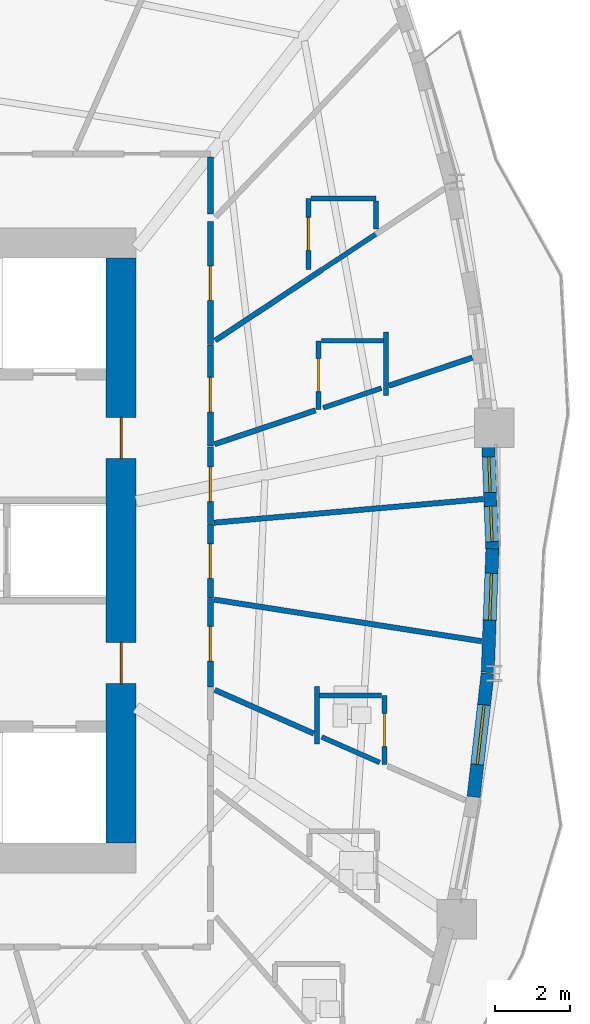
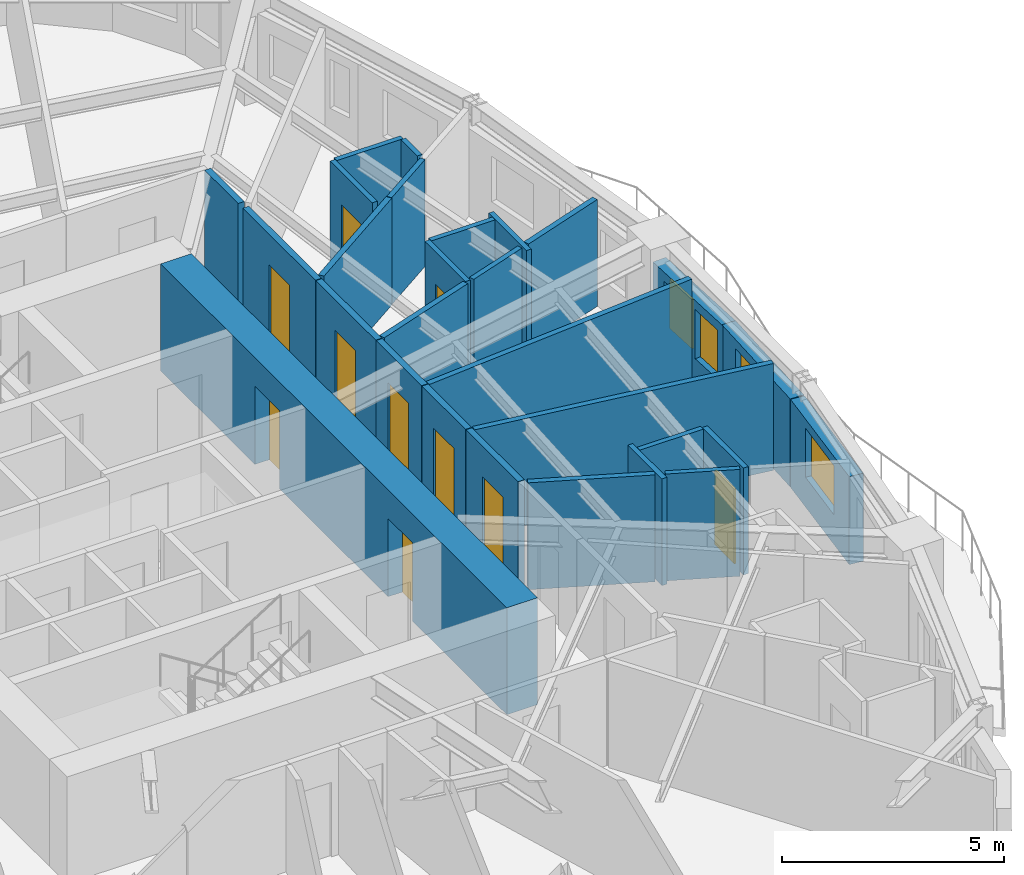
# One storey, part 7 of 13: 28 walls, 10 doors, 4 windows, 14 openings.
"""IFC4 building model written with IfcOpenShell, lengths in metres."""

from ifc_helpers import new_model, si_unit, direction, frame, frame_2d, origin, place, context, subcontext, project, spatial, rectangle, extrude, source, transform, mapped, material, layer, layer_set, type_object, element, fill, save


model = new_model("IFC4")

# Units and contexts
model_context = context("Model", 3, precision=1e-05, world=origin(), true_north=direction((0.0, 1.0)))
body_context = subcontext(model_context, "Body", "Model", "MODEL_VIEW")
ifc_project = project(units=[si_unit("LENGTHUNIT", "METRE"), si_unit("AREAUNIT", "SQUARE_METRE"), si_unit("VOLUMEUNIT", "CUBIC_METRE"), si_unit("PLANEANGLEUNIT", "RADIAN"), si_unit("MASSUNIT", "GRAM", prefix="KILO")], contexts=[model_context])

# Site, building, storey
site_placement = place(None, origin())
site = spatial("IfcSite", under=ifc_project, at=site_placement, CompositionType="ELEMENT")
building_placement = place(site_placement, origin())
building = spatial("IfcBuilding", under=site, at=building_placement, Name="Qafzar Sky-Pleat Residences", CompositionType="ELEMENT")
storey_placement = place(building_placement, frame((0.0, 0.0, 55.800048828125)))
storey = spatial("IfcBuildingStorey", under=building, at=storey_placement, Name="L16", CompositionType="ELEMENT", Elevation=55.800048828125)

# Wall, opening, door
ifc_material_1 = material(Name="Acoustic gypsum plasterboard partition", Category="gypsum")
ifc_layer_1 = layer(ifc_material_1, 0.159912109375)
ifc_layer_set_1 = layer_set([ifc_layer_1], Name="Acoustic gypsum plasterboard partition")
wall_type_1 = type_object("IfcWallType", Name="PART-COR-160", PredefinedType="PARTITIONING", material=ifc_layer_set_1)
wall_1_placement = place(storey_placement, frame((38.679931640625, 34.76904296875, 0.0), z_axis=(0.0, 0.0, 1.0), x_axis=(0.0, -1.0, 0.0)))
wall_1 = element("IfcWall", 1, at=wall_1_placement, inside=storey, type_object=wall_type_1, Name="L16 Partition Wall PART-L16-PW-009", PredefinedType="PARTITIONING", context=body_context, shape_type="SweptSolid", body=[
    extrude(rectangle(XDim=3.27099609375, YDim=0.159912109375, at=frame_2d((1.635498046875, 0.0))), origin(), (0.0, 0.0, 1.0), 2.93994140625),
])
opening_1_placement = place(wall_1_placement, frame((1.177001953125, 0.0, 0.0)))
opening_1 = element("IfcOpeningElement", 2, at=opening_1_placement, cuts=wall_1, Name="Opening ID-04", PredefinedType="OPENING", context=body_context, shape_type="SweptSolid", body=[
    extrude(rectangle(XDim=0.919921875, YDim=2.10009765625, at=frame_2d((0.4599609375, 1.050048828125))), frame((0.0, 0.08984375, 0.0), z_axis=(0.0, -1.0, 0.0), x_axis=(1.0, 0.0, 0.0)), (0.0, 0.0, 1.0), 0.179931640625),
])
ifc_material_2 = material(Name="Timber-faced fire door", Category="wood")
door_type_1 = type_object("IfcDoorType", Name="DR-BED-920", OperationType="NOTDEFINED", PredefinedType="DOOR", material=ifc_material_2)
shared_shape_1 = source(origin(), body_context, "Body", "SweptSolid", [
    extrude(rectangle(XDim=0.919921875, YDim=2.10009765625, at=frame_2d((0.4599609375, 1.050048828125))), frame((0.0, 0.02490234375, 0.0), z_axis=(0.0, -1.0, 0.0), x_axis=(1.0, 0.0, 0.0)), (0.0, 0.0, 1.0), 0.050048828125),
])
door_1_placement = place(opening_1_placement, origin())
door_1 = element("IfcDoor", 3, at=door_1_placement, inside=storey, type_object=door_type_1, Name="L16 Co-Living Bedroom 7 Door", OperationType="SINGLE_SWING_LEFT", OverallHeight=2.10009765625, OverallWidth=0.919921875, PredefinedType="DOOR", context=body_context, shape_type="MappedRepresentation", body=[
    mapped(shared_shape_1, transform((0.0, 0.0, 0.0), x_axis=(1.0, 0.0, 0.0), y_axis=(0.0, 1.0, 0.0), z_axis=(0.0, 0.0, 1.0), scale=1.0)),
])
fill(opening_1, door_1)

wall_2_placement = place(storey_placement, frame((38.679931640625, 31.48291015625, 0.0), z_axis=(0.0, 0.0, 1.0), x_axis=(0.0, -1.0, 0.0)))
wall_2 = element("IfcWall", 4, at=wall_2_placement, inside=storey, type_object=wall_type_1, Name="L16 Partition Wall PART-L16-PW-012", PredefinedType="PARTITIONING", context=body_context, shape_type="SweptSolid", body=[
    extrude(rectangle(XDim=2.701904296875, YDim=0.159912109375, at=frame_2d((1.35107421875, 0.0))), origin(), (0.0, 0.0, 1.0), 2.93994140625),
])
opening_2_placement = place(wall_2_placement, frame((0.866455078125, 0.0, 0.0)))
opening_2 = element("IfcOpeningElement", 5, at=opening_2_placement, cuts=wall_2, Name="Opening ID-04", PredefinedType="OPENING", context=body_context, shape_type="SweptSolid", body=[
    extrude(rectangle(XDim=0.919921875, YDim=2.10009765625, at=frame_2d((0.4599609375, 1.050048828125))), frame((0.0, 0.08984375, 0.0), z_axis=(0.0, -1.0, 0.0), x_axis=(1.0, 0.0, 0.0)), (0.0, 0.0, 1.0), 0.179931640625),
])
door_2_placement = place(opening_2_placement, origin())
door_2 = element("IfcDoor", 6, at=door_2_placement, inside=storey, type_object=door_type_1, Name="L16 Co-Living Bedroom 8 Door", OperationType="SINGLE_SWING_RIGHT", OverallHeight=2.10009765625, OverallWidth=0.919921875, PredefinedType="DOOR", context=body_context, shape_type="MappedRepresentation", body=[
    mapped(shared_shape_1, transform((0.0, 0.0, 0.0), x_axis=(1.0, 0.0, 0.0), y_axis=(0.0, 1.0, 0.0), z_axis=(0.0, 0.0, 1.0), scale=1.0)),
])
fill(opening_2, door_2)

wall_3_placement = place(storey_placement, frame((38.679931640625, 24.719970703125, 0.0), z_axis=(0.0, 0.0, 1.0), x_axis=(0.0, -1.0, 0.0)))
wall_3 = element("IfcWall", 7, at=wall_3_placement, inside=storey, type_object=wall_type_1, Name="L16 Partition Wall PART-L16-PW-015", PredefinedType="PARTITIONING", context=body_context, shape_type="SweptSolid", body=[
    extrude(rectangle(XDim=2.35693359375, YDim=0.159912109375, at=frame_2d((1.178466796875, 0.0))), origin(), (0.0, 0.0, 1.0), 2.93994140625),
])
opening_3_placement = place(wall_3_placement, frame((0.742431640625, 0.0, 0.0)))
opening_3 = element("IfcOpeningElement", 8, at=opening_3_placement, cuts=wall_3, Name="Opening ID-04", PredefinedType="OPENING", context=body_context, shape_type="SweptSolid", body=[
    extrude(rectangle(XDim=0.919921875, YDim=2.10009765625, at=frame_2d((0.4599609375, 1.050048828125))), frame((0.0, 0.08984375, 0.0), z_axis=(0.0, -1.0, 0.0), x_axis=(1.0, 0.0, 0.0)), (0.0, 0.0, 1.0), 0.179931640625),
])
door_3_placement = place(opening_3_placement, origin())
door_3 = element("IfcDoor", 9, at=door_3_placement, inside=storey, type_object=door_type_1, Name="L16 Co-Living Bedroom 4 Door", OperationType="SINGLE_SWING_LEFT", OverallHeight=2.10009765625, OverallWidth=0.919921875, PredefinedType="DOOR", context=body_context, shape_type="MappedRepresentation", body=[
    mapped(shared_shape_1, transform((0.0, 0.0, 0.0), x_axis=(1.0, 0.0, 0.0), y_axis=(0.0, 1.0, 0.0), z_axis=(0.0, 0.0, 1.0), scale=1.0)),
])
fill(opening_3, door_3)

wall_4_placement = place(storey_placement, frame((38.679931640625, 28.76611328125, 0.0), z_axis=(0.0, 0.0, 1.0), x_axis=(0.0, -1.0, 0.0)))
wall_4 = element("IfcWall", 10, at=wall_4_placement, inside=storey, type_object=wall_type_1, Name="L16 Partition Wall PART-L16-PW-017", PredefinedType="PARTITIONING", context=body_context, shape_type="SweptSolid", body=[
    extrude(rectangle(XDim=2.049072265625, YDim=0.159912109375, at=frame_2d((1.0244140625, 0.0))), origin(), (0.0, 0.0, 1.0), 2.93994140625),
])
opening_4_placement = place(wall_4_placement, frame((0.54150390625, 0.0, 0.0)))
opening_4 = element("IfcOpeningElement", 11, at=opening_4_placement, cuts=wall_4, Name="Opening ID-04", PredefinedType="OPENING", context=body_context, shape_type="SweptSolid", body=[
    extrude(rectangle(XDim=0.919921875, YDim=2.10009765625, at=frame_2d((0.4599609375, 1.050048828125))), frame((0.0, 0.08984375, 0.0), z_axis=(0.0, -1.0, 0.0), x_axis=(1.0, 0.0, 0.0)), (0.0, 0.0, 1.0), 0.179931640625),
])
door_4_placement = place(opening_4_placement, origin())
door_4 = element("IfcDoor", 12, at=door_4_placement, inside=storey, type_object=door_type_1, Name="L16 Co-Living Bedroom 5 Door", OperationType="SINGLE_SWING_LEFT", OverallHeight=2.10009765625, OverallWidth=0.919921875, PredefinedType="DOOR", context=body_context, shape_type="MappedRepresentation", body=[
    mapped(shared_shape_1, transform((0.0, 0.0, 0.0), x_axis=(1.0, 0.0, 0.0), y_axis=(0.0, 1.0, 0.0), z_axis=(0.0, 0.0, 1.0), scale=1.0)),
])
fill(opening_4, door_4)

wall_5_placement = place(storey_placement, frame((38.679931640625, 26.701904296875, 0.0), z_axis=(0.0, 0.0, 1.0), x_axis=(0.0, -1.0, 0.0)))
wall_5 = element("IfcWall", 13, at=wall_5_placement, inside=storey, type_object=wall_type_1, Name="L16 Partition Wall PART-L16-PW-018", PredefinedType="PARTITIONING", context=body_context, shape_type="SweptSolid", body=[
    extrude(rectangle(XDim=1.966796875, YDim=0.159912109375, at=frame_2d((0.9833984375, 0.0))), origin(), (0.0, 0.0, 1.0), 2.93994140625),
])
opening_5_placement = place(wall_5_placement, frame((0.52392578125, 0.0, 0.0)))
opening_5 = element("IfcOpeningElement", 14, at=opening_5_placement, cuts=wall_5, Name="Opening ID-04", PredefinedType="OPENING", context=body_context, shape_type="SweptSolid", body=[
    extrude(rectangle(XDim=0.919921875, YDim=2.10009765625, at=frame_2d((0.4599609375, 1.050048828125))), frame((0.0, 0.08984375, 0.0), z_axis=(0.0, -1.0, 0.0), x_axis=(1.0, 0.0, 0.0)), (0.0, 0.0, 1.0), 0.179931640625),
])
door_5_placement = place(opening_5_placement, origin())
door_5 = element("IfcDoor", 15, at=door_5_placement, inside=storey, type_object=door_type_1, Name="L16 Co-Living Bedroom 6 Door", OperationType="SINGLE_SWING_RIGHT", OverallHeight=2.10009765625, OverallWidth=0.919921875, PredefinedType="DOOR", context=body_context, shape_type="MappedRepresentation", body=[
    mapped(shared_shape_1, transform((0.0, 0.0, 0.0), x_axis=(1.0, 0.0, 0.0), y_axis=(0.0, 1.0, 0.0), z_axis=(0.0, 0.0, 1.0), scale=1.0)),
])
fill(opening_5, door_5)

# Walls
wall_6_placement = place(storey_placement, frame((38.679931640625, 34.981201171875, 0.0), z_axis=(0.0, 0.0, 1.0), x_axis=(0.0, 1.0, 0.0)))
element("IfcWall", 16, at=wall_6_placement, inside=storey, type_object=wall_type_1, Name="L16 Partition Wall PART-L16-PW-072", PredefinedType="PARTITIONING", context=body_context, shape_type="SweptSolid", body=[
    extrude(rectangle(XDim=1.5107421875, YDim=0.159912109375, at=frame_2d((0.75537109375, 0.0))), origin(), (0.0, 0.0, 1.0), 2.93994140625),
])
ifc_layer_2 = layer(ifc_material_1, 0.14501953125)
ifc_layer_set_2 = layer_set([ifc_layer_2], Name="Acoustic gypsum plasterboard partition")
wall_type_2 = type_object("IfcWallType", Name="PART-UNIT-145", PredefinedType="PARTITIONING", material=ifc_layer_set_2)
wall_7_placement = place(storey_placement, frame((38.779052734375, 24.688720703125, 0.0), z_axis=(0.0, 0.0, 1.0), x_axis=(0.988134938683, -0.153588225311, 0.0)))
element("IfcWall", 17, at=wall_7_placement, inside=storey, type_object=wall_type_2, Name="L16 Partition Wall PART-L16-PW-044", PredefinedType="PARTITIONING", context=body_context, shape_type="SweptSolid", body=[
    extrude(rectangle(XDim=7.224609375, YDim=0.14501953125, at=frame_2d((3.6123046875, 0.0))), origin(), (0.0, 0.0, 1.0), 2.93994140625),
])
wall_8_placement = place(storey_placement, frame((38.7744140625, 26.740234375, 0.0), z_axis=(0.0, 0.0, 1.0), x_axis=(0.99617095107, 0.087426747871, 0.0)))
element("IfcWall", 18, at=wall_8_placement, inside=storey, type_object=wall_type_2, Name="L16 Partition Wall PART-L16-PW-045", PredefinedType="PARTITIONING", context=body_context, shape_type="SweptSolid", body=[
    extrude(rectangle(XDim=7.2158203125, YDim=0.14501953125, at=frame_2d((3.60791015625, 0.0))), origin(), (0.0, 0.0, 1.0), 2.93994140625),
])
wall_9_placement = place(storey_placement, frame((38.806640625, 31.599853515625, 0.0), z_axis=(0.0, 0.0, 1.0), x_axis=(0.833690999351, 0.552231217518, 0.0)))
element("IfcWall", 19, at=wall_9_placement, inside=storey, type_object=wall_type_2, Name="L16 Partition Wall PART-L16-PW-050", PredefinedType="PARTITIONING", context=body_context, shape_type="SweptSolid", body=[
    extrude(rectangle(XDim=3.42626953125, YDim=0.14501953125, at=frame_2d((1.713134765625, 0.0))), origin(), (0.0, 0.0, 1.0), 2.93994140625),
])
wall_10_placement = place(storey_placement, frame((38.79638671875, 22.27978515625, 0.0), z_axis=(0.0, 0.0, 1.0), x_axis=(0.9151327572, -0.403152622092, 0.0)))
element("IfcWall", 20, at=wall_10_placement, inside=storey, type_object=wall_type_2, Name="L16 Partition Wall PART-L16-PW-053", PredefinedType="PARTITIONING", context=body_context, shape_type="SweptSolid", body=[
    extrude(rectangle(XDim=2.885009765625, YDim=0.14501953125, at=frame_2d((1.4423828125, 0.0))), origin(), (0.0, 0.0, 1.0), 2.93994140625),
])
wall_11_placement = place(storey_placement, frame((38.790771484375, 28.833984375, 0.0), z_axis=(0.0, 0.0, 1.0), x_axis=(0.94801935148, 0.318212679226, 0.0)))
element("IfcWall", 21, at=wall_11_placement, inside=storey, type_object=wall_type_2, Name="L16 Partition Wall PART-L16-PW-054", PredefinedType="PARTITIONING", context=body_context, shape_type="SweptSolid", body=[
    extrude(rectangle(XDim=2.84033203125, YDim=0.14501953125, at=frame_2d((1.420166015625, 0.0))), origin(), (0.0, 0.0, 1.0), 2.93994140625),
])
wall_12_placement = place(storey_placement, frame((43.444580078125, 30.39599609375, 0.0), z_axis=(0.0, 0.0, 1.0), x_axis=(0.947971837268, 0.318354198568, 0.0)))
element("IfcWall", 22, at=wall_12_placement, inside=storey, type_object=wall_type_2, Name="L16 Partition Wall PART-L16-PW-056", PredefinedType="PARTITIONING", context=body_context, shape_type="SweptSolid", body=[
    extrude(rectangle(XDim=2.34130859375, YDim=0.14501953125, at=frame_2d((1.170654296875, 0.0))), origin(), (0.0, 0.0, 1.0), 2.93994140625),
])

# Wall, opening, door
ifc_material_3 = material(Name="Moisture-resistant gypsum partition", Category="gypsum")
ifc_layer_3 = layer(ifc_material_3, 0.1298828125)
ifc_layer_set_3 = layer_set([ifc_layer_3], Name="Moisture-resistant gypsum partition")
wall_type_3 = type_object("IfcWallType", Name="PART-WET-130", PredefinedType="PARTITIONING", material=ifc_layer_set_3)
wall_13_placement = place(storey_placement, frame((41.2939453125, 35.39208984375, 0.0), z_axis=(0.0, 0.0, 1.0), x_axis=(0.0, -1.0, 0.0)))
wall_13 = element("IfcWall", 23, at=wall_13_placement, inside=storey, type_object=wall_type_3, Name="L16 Partition Wall PART-L16-PW-019", PredefinedType="PARTITIONING", context=body_context, shape_type="SweptSolid", body=[
    extrude(rectangle(XDim=1.900146484375, YDim=0.1298828125, at=frame_2d((0.9501953125, 0.0))), origin(), (0.0, 0.0, 1.0), 2.93994140625),
])
opening_6_placement = place(wall_13_placement, frame((0.510009765625, 0.0, 0.0)))
opening_6 = element("IfcOpeningElement", 24, at=opening_6_placement, cuts=wall_13, Name="Opening ID-07", PredefinedType="OPENING", context=body_context, shape_type="SweptSolid", body=[
    extrude(rectangle(XDim=0.8798828125, YDim=2.050048828125, at=frame_2d((0.43994140625, 1.02490234375))), frame((0.0, 0.074951171875, 0.0), z_axis=(0.0, -1.0, 0.0), x_axis=(1.0, 0.0, 0.0)), (0.0, 0.0, 1.0), 0.14990234375),
])
door_type_2 = type_object("IfcDoorType", Name="DR-WET-880", OperationType="NOTDEFINED", PredefinedType="DOOR", material=ifc_material_2)
shared_shape_2 = source(origin(), body_context, "Body", "SweptSolid", [
    extrude(rectangle(XDim=0.8798828125, YDim=2.050048828125, at=frame_2d((0.43994140625, 1.02490234375))), frame((0.0, 0.02490234375, 0.0), z_axis=(0.0, -1.0, 0.0), x_axis=(1.0, 0.0, 0.0)), (0.0, 0.0, 1.0), 0.050048828125),
])
door_6_placement = place(opening_6_placement, origin())
door_6 = element("IfcDoor", 25, at=door_6_placement, inside=storey, type_object=door_type_2, Name="L16 En-suite Bathroom 7 Door", OperationType="SINGLE_SWING_LEFT", OverallHeight=2.050048828125, OverallWidth=0.8798828125, PredefinedType="DOOR", context=body_context, shape_type="MappedRepresentation", body=[
    mapped(shared_shape_2, transform((0.0, 0.0, 0.0), x_axis=(1.0, 0.0, 0.0), y_axis=(0.0, 1.0, 0.0), z_axis=(0.0, 0.0, 1.0), scale=1.0)),
])
fill(opening_6, door_6)

wall_14_placement = place(storey_placement, frame((43.322998046875, 20.285888671875, 0.0), z_axis=(0.0, 0.0, 1.0), x_axis=(0.0, 1.0, 0.0)))
wall_14 = element("IfcWall", 26, at=wall_14_placement, inside=storey, type_object=wall_type_3, Name="L16 Partition Wall PART-L16-PW-025", PredefinedType="PARTITIONING", context=body_context, shape_type="SweptSolid", body=[
    extrude(rectangle(XDim=1.84521484375, YDim=0.1298828125, at=frame_2d((0.922607421875, 0.0))), origin(), (0.0, 0.0, 1.0), 2.93994140625),
])
opening_7_placement = place(wall_14_placement, frame((0.482421875, 0.0, 0.0)))
opening_7 = element("IfcOpeningElement", 27, at=opening_7_placement, cuts=wall_14, Name="Opening ID-07", PredefinedType="OPENING", context=body_context, shape_type="SweptSolid", body=[
    extrude(rectangle(XDim=0.8798828125, YDim=2.050048828125, at=frame_2d((0.43994140625, 1.02490234375))), frame((0.0, 0.074951171875, 0.0), z_axis=(0.0, -1.0, 0.0), x_axis=(1.0, 0.0, 0.0)), (0.0, 0.0, 1.0), 0.14990234375),
])
door_7_placement = place(opening_7_placement, origin())
door_7 = element("IfcDoor", 28, at=door_7_placement, inside=storey, type_object=door_type_2, Name="L16 En-suite Bathroom 4 Door", OperationType="SINGLE_SWING_LEFT", OverallHeight=2.050048828125, OverallWidth=0.8798828125, PredefinedType="DOOR", context=body_context, shape_type="MappedRepresentation", body=[
    mapped(shared_shape_2, transform((0.0, 0.0, 0.0), x_axis=(1.0, 0.0, 0.0), y_axis=(0.0, 1.0, 0.0), z_axis=(0.0, 0.0, 1.0), scale=1.0)),
])
fill(opening_7, door_7)

wall_15_placement = place(storey_placement, frame((41.56396484375, 31.593994140625, 0.0), z_axis=(0.0, 0.0, 1.0), x_axis=(0.0, -1.0, 0.0)))
wall_15 = element("IfcWall", 29, at=wall_15_placement, inside=storey, type_object=wall_type_3, Name="L16 Partition Wall PART-L16-PW-026", PredefinedType="PARTITIONING", context=body_context, shape_type="SweptSolid", body=[
    extrude(rectangle(XDim=1.8291015625, YDim=0.1298828125, at=frame_2d((0.91455078125, 0.0))), origin(), (0.0, 0.0, 1.0), 2.93994140625),
])
opening_8_placement = place(wall_15_placement, frame((0.474609375, 0.0, 0.0)))
opening_8 = element("IfcOpeningElement", 30, at=opening_8_placement, cuts=wall_15, Name="Opening ID-07", PredefinedType="OPENING", context=body_context, shape_type="SweptSolid", body=[
    extrude(rectangle(XDim=0.8798828125, YDim=2.050048828125, at=frame_2d((0.43994140625, 1.02490234375))), frame((0.0, 0.074951171875, 0.0), z_axis=(0.0, -1.0, 0.0), x_axis=(1.0, 0.0, 0.0)), (0.0, 0.0, 1.0), 0.14990234375),
])
door_8_placement = place(opening_8_placement, origin())
door_8 = element("IfcDoor", 31, at=door_8_placement, inside=storey, type_object=door_type_2, Name="L16 En-suite Bathroom 8 Door", OperationType="SINGLE_SWING_RIGHT", OverallHeight=2.050048828125, OverallWidth=0.8798828125, PredefinedType="DOOR", context=body_context, shape_type="MappedRepresentation", body=[
    mapped(shared_shape_2, transform((0.0, 0.0, 0.0), x_axis=(1.0, 0.0, 0.0), y_axis=(0.0, 1.0, 0.0), z_axis=(0.0, 0.0, 1.0), scale=1.0)),
])
fill(opening_8, door_8)

# Walls
wall_16_placement = place(storey_placement, frame((41.650390625, 21.023193359375, 0.0), z_axis=(0.0, 0.0, 1.0), x_axis=(0.915165742406, -0.403077739309, 0.0)))
element("IfcWall", 32, at=wall_16_placement, inside=storey, type_object=wall_type_3, Name="L16 Partition Wall PART-L16-PW-060", PredefinedType="PARTITIONING", context=body_context, shape_type="SweptSolid", body=[
    extrude(rectangle(XDim=1.688720703125, YDim=0.1298828125, at=frame_2d((0.84423828125, 0.0))), origin(), (0.0, 0.0, 1.0), 2.93994140625),
])
wall_17_placement = place(storey_placement, frame((41.6865234375, 29.80615234375, 0.0), z_axis=(0.0, 0.0, 1.0), x_axis=(0.948056253842, 0.318102718553, 0.0)))
element("IfcWall", 33, at=wall_17_placement, inside=storey, type_object=wall_type_3, Name="L16 Partition Wall PART-L16-PW-063", PredefinedType="PARTITIONING", context=body_context, shape_type="SweptSolid", body=[
    extrude(rectangle(XDim=1.64013671875, YDim=0.1298828125, at=frame_2d((0.820068359375, 0.0))), origin(), (0.0, 0.0, 1.0), 2.93994140625),
])
wall_18_placement = place(storey_placement, frame((41.366943359375, 35.39208984375, 0.0), z_axis=(0.0, 0.0, 1.0), x_axis=(1.0, 0.0, 0.0)))
element("IfcWall", 34, at=wall_18_placement, inside=storey, type_object=wall_type_3, Name="L16 Partition Wall PART-L16-PW-065", PredefinedType="PARTITIONING", context=body_context, shape_type="SweptSolid", body=[
    extrude(rectangle(XDim=1.72705078125, YDim=0.1298828125, at=frame_2d((0.863525390625, 0.0))), origin(), (0.0, 0.0, 1.0), 2.93994140625),
])
for number, where, z_axis, x_axis, name in (
    (35, (41.595947265625, 22.131103515625, 0.0), (0.0, 0.0, 1.0), (1.0, 0.0, 0.0), "L16 Partition Wall PART-L16-PW-070"),
    (36, (41.636962890625, 31.593994140625, 0.0), (0.0, 0.0, 1.0), (1.0, 0.0, 0.0), "L16 Partition Wall PART-L16-PW-071"),
):
    element("IfcWall", number, at=place(storey_placement, frame(where, z_axis=z_axis, x_axis=x_axis)), inside=storey, type_object=wall_type_3, Name=name, PredefinedType="PARTITIONING", context=body_context, shape_type="SweptSolid", body=[
        extrude(rectangle(XDim=1.654052734375, YDim=0.1298828125, at=frame_2d((0.8271484375, 0.0))), origin(), (0.0, 0.0, 1.0), 2.93994140625),
    ])
wall_19_placement = place(storey_placement, frame((41.675537109375, 33.500244140625, 0.0), z_axis=(0.0, 0.0, 1.0), x_axis=(0.833939065936, 0.55185653417, 0.0)))
element("IfcWall", 37, at=wall_19_placement, inside=storey, type_object=wall_type_3, Name="L16 Partition Wall PART-L16-PW-076", PredefinedType="PARTITIONING", context=body_context, shape_type="SweptSolid", body=[
    extrude(rectangle(XDim=1.68603515625, YDim=0.1298828125, at=frame_2d((0.843017578125, 0.0))), origin(), (0.0, 0.0, 1.0), 2.93994140625),
])
wall_20_placement = place(storey_placement, frame((43.364013671875, 30.12890625, 0.0), z_axis=(0.0, 0.0, 1.0), x_axis=(0.0, 1.0, 0.0)))
element("IfcWall", 38, at=wall_20_placement, inside=storey, type_object=wall_type_3, Name="L16 Partition Wall PART-L16-PW-080", PredefinedType="PARTITIONING", context=body_context, shape_type="SweptSolid", body=[
    extrude(rectangle(XDim=1.705078125, YDim=0.1298828125, at=frame_2d((0.8525390625, 0.0))), origin(), (0.0, 0.0, 1.0), 2.93994140625),
])
wall_21_placement = place(storey_placement, frame((41.52294921875, 20.839111328125, 0.0), z_axis=(0.0, 0.0, 1.0), x_axis=(0.0, 1.0, 0.0)))
element("IfcWall", 39, at=wall_21_placement, inside=storey, type_object=wall_type_3, Name="L16 Partition Wall PART-L16-PW-081", PredefinedType="PARTITIONING", context=body_context, shape_type="SweptSolid", body=[
    extrude(rectangle(XDim=1.531982421875, YDim=0.1298828125, at=frame_2d((0.76611328125, 0.0))), origin(), (0.0, 0.0, 1.0), 2.93994140625),
])
wall_22_placement = place(storey_placement, frame((43.093994140625, 34.576904296875, 0.0), z_axis=(0.0, 0.0, 1.0), x_axis=(0.0, 1.0, 0.0)))
element("IfcWall", 40, at=wall_22_placement, inside=storey, type_object=wall_type_3, Name="L16 Partition Wall PART-L16-PW-083", PredefinedType="PARTITIONING", context=body_context, shape_type="SweptSolid", body=[
    extrude(rectangle(XDim=0.7421875, YDim=0.1298828125, at=frame_2d((0.37109375, 0.0))), origin(), (0.0, 0.0, 1.0), 2.93994140625),
])

# Wall, opening, window
ifc_material_4 = material(Name="Precast concrete C40/50 with honed Riyadh limestone", Category="concrete")
ifc_layer_4 = layer(ifc_material_4, 0.35009765625)
ifc_layer_set_4 = layer_set([ifc_layer_4], Name="Precast concrete C40/50 with honed Riyadh limestone")
wall_type_4 = type_object("IfcWallType", Name="WALL-EXT-350", PredefinedType="SOLIDWALL", material=ifc_layer_set_4)
wall_23_placement = place(storey_placement, frame((45.7001953125, 19.42626953125, 0.0), z_axis=(0.0, 0.0, 1.0), x_axis=(0.113266370988, 0.993564657787, 0.0)))
wall_23 = element("IfcWall", 41, at=wall_23_placement, inside=storey, type_object=wall_type_4, Name="L16 Limestone Facade Wall 26", PredefinedType="SOLIDWALL", context=body_context, shape_type="SweptSolid", body=[
    extrude(rectangle(XDim=3.317138671875, YDim=0.35009765625, at=frame_2d((1.65869140625, 0.0))), origin(), (0.0, 0.0, 1.0), 2.419921875),
])
opening_9_placement = place(wall_23_placement, frame((0.86865234375, 0.0, 0.820068359375)))
opening_9 = element("IfcOpeningElement", 42, at=opening_9_placement, cuts=wall_23, Name="Opening WN-09", PredefinedType="OPENING", context=body_context, shape_type="SweptSolid", body=[
    extrude(rectangle(XDim=1.60009765625, YDim=1.35009765625, at=frame_2d((0.800048828125, 0.675048828125))), frame((0.0, 0.18505859375, 0.0), z_axis=(0.0, -1.0, 0.0), x_axis=(1.0, 0.0, 0.0)), (0.0, 0.0, 1.0), 0.3701171875),
])
ifc_material_5 = material(Name="Solar-control low-E glass in bronze aluminium frame", Category="glass")
window_type_1 = type_object("IfcWindowType", Name="WIN-09", PartitioningType="DOUBLE_PANEL_VERTICAL", PredefinedType="WINDOW", material=ifc_material_5)
shared_shape_3 = source(origin(), body_context, "Body", "SweptSolid", [
    extrude(rectangle(XDim=1.60009765625, YDim=1.35009765625, at=frame_2d((0.800048828125, 0.675048828125))), frame((0.0, 0.030029296875, 0.0), z_axis=(0.0, -1.0, 0.0), x_axis=(1.0, 0.0, 0.0)), (0.0, 0.0, 1.0), 0.06005859375),
])
window_1_placement = place(opening_9_placement, origin())
window_1 = element("IfcWindow", 43, at=window_1_placement, inside=storey, type_object=window_type_1, Name="L16 Punched Facade Window 26", OverallHeight=1.35009765625, OverallWidth=1.60009765625, PartitioningType="SINGLE_PANEL", PredefinedType="WINDOW", context=body_context, shape_type="MappedRepresentation", body=[
    mapped(shared_shape_3, transform((0.0, 0.0, 0.0), x_axis=(1.0, 0.0, 0.0), y_axis=(0.0, 1.0, 0.0), z_axis=(0.0, 0.0, 1.0), scale=1.0)),
])
fill(opening_9, window_1)

wall_24_placement = place(storey_placement, frame((46.077880859375, 22.748779296875, 0.0), z_axis=(0.0, 0.0, 1.0), x_axis=(0.037972593677, 0.999278780986, 0.0)))
wall_24 = element("IfcWall", 44, at=wall_24_placement, inside=storey, type_object=wall_type_4, Name="L16 Limestone Facade Wall 27", PredefinedType="SOLIDWALL", context=body_context, shape_type="SweptSolid", body=[
    extrude(rectangle(XDim=3.29833984375, YDim=0.35009765625, at=frame_2d((1.649169921875, 0.0))), origin(), (0.0, 0.0, 1.0), 2.419921875),
])
opening_10_placement = place(wall_24_placement, frame((1.394287109375, 0.0, 0.820068359375)))
opening_10 = element("IfcOpeningElement", 45, at=opening_10_placement, cuts=wall_24, Name="Opening WN-11", PredefinedType="OPENING", context=body_context, shape_type="SweptSolid", body=[
    extrude(rectangle(XDim=1.25, YDim=1.35009765625, at=frame_2d((0.625, 0.675048828125))), frame((0.0, 0.18505859375, 0.0), z_axis=(0.0, -1.0, 0.0), x_axis=(1.0, 0.0, 0.0)), (0.0, 0.0, 1.0), 0.3701171875),
])
window_type_2 = type_object("IfcWindowType", Name="WIN-11", PartitioningType="SINGLE_PANEL", PredefinedType="WINDOW", material=ifc_material_5)
shared_shape_4 = source(origin(), body_context, "Body", "SweptSolid", [
    extrude(rectangle(XDim=1.25, YDim=1.35009765625, at=frame_2d((0.625, 0.675048828125))), frame((0.0, 0.030029296875, 0.0), z_axis=(0.0, -1.0, 0.0), x_axis=(1.0, 0.0, 0.0)), (0.0, 0.0, 1.0), 0.06005859375),
])
window_2_placement = place(opening_10_placement, origin())
window_2 = element("IfcWindow", 46, at=window_2_placement, inside=storey, type_object=window_type_2, Name="L16 Punched Facade Window 27-2", OverallHeight=1.35009765625, OverallWidth=1.25, PartitioningType="SINGLE_PANEL", PredefinedType="WINDOW", context=body_context, shape_type="MappedRepresentation", body=[
    mapped(shared_shape_4, transform((0.0, 0.0, 0.0), x_axis=(1.0, 0.0, 0.0), y_axis=(0.0, 1.0, 0.0), z_axis=(0.0, 0.0, 1.0), scale=1.0)),
])
fill(opening_10, window_2)

# Wall, openings, windows
wall_25_placement = place(storey_placement, frame((46.203125, 25.955322265625, 0.0), z_axis=(0.0, 0.0, 1.0), x_axis=(-0.038016855762, 0.999277098045, 0.0)))
wall_25 = element("IfcWall", 47, at=wall_25_placement, inside=storey, type_object=wall_type_4, Name="L16 Limestone Facade Wall 28", PredefinedType="SOLIDWALL", context=body_context, shape_type="SweptSolid", body=[
    extrude(rectangle(XDim=3.018310546875, YDim=0.35009765625, at=frame_2d((1.50927734375, 0.0))), origin(), (0.0, 0.0, 1.0), 2.419921875),
])
opening_11_placement = place(wall_25_placement, frame((0.27734375, 0.0, 0.820068359375)))
opening_11 = element("IfcOpeningElement", 48, at=opening_11_placement, cuts=wall_25, Name="Opening WN-12", PredefinedType="OPENING", context=body_context, shape_type="SweptSolid", body=[
    extrude(rectangle(XDim=0.949951171875, YDim=1.35009765625, at=frame_2d((0.47509765625, 0.675048828125))), frame((0.0, 0.18505859375, 0.0), z_axis=(0.0, -1.0, 0.0), x_axis=(1.0, 0.0, 0.0)), (0.0, 0.0, 1.0), 0.3701171875),
])
opening_12_placement = place(wall_25_placement, frame((1.591796875, 0.0, 0.820068359375)))
opening_12 = element("IfcOpeningElement", 49, at=opening_12_placement, cuts=wall_25, Name="Opening WN-12", PredefinedType="OPENING", context=body_context, shape_type="SweptSolid", body=[
    extrude(rectangle(XDim=0.949951171875, YDim=1.35009765625, at=frame_2d((0.47509765625, 0.675048828125))), frame((0.0, 0.18505859375, 0.0), z_axis=(0.0, -1.0, 0.0), x_axis=(1.0, 0.0, 0.0)), (0.0, 0.0, 1.0), 0.3701171875),
])
window_type_3 = type_object("IfcWindowType", Name="WIN-12", PartitioningType="SINGLE_PANEL", PredefinedType="WINDOW", material=ifc_material_5)
shared_shape_5 = source(origin(), body_context, "Body", "SweptSolid", [
    extrude(rectangle(XDim=0.949951171875, YDim=1.35009765625, at=frame_2d((0.47509765625, 0.675048828125))), frame((0.0, 0.030029296875, 0.0), z_axis=(0.0, -1.0, 0.0), x_axis=(1.0, 0.0, 0.0)), (0.0, 0.0, 1.0), 0.06005859375),
])
window_3_placement = place(opening_11_placement, origin())
window_3 = element("IfcWindow", 50, at=window_3_placement, inside=storey, type_object=window_type_3, Name="L16 Punched Facade Window 28", OverallHeight=1.35009765625, OverallWidth=0.949951171875, PartitioningType="SINGLE_PANEL", PredefinedType="WINDOW", context=body_context, shape_type="MappedRepresentation", body=[
    mapped(shared_shape_5, transform((0.0, 0.0, 0.0), x_axis=(1.0, 0.0, 0.0), y_axis=(0.0, 1.0, 0.0), z_axis=(0.0, 0.0, 1.0), scale=1.0)),
])
fill(opening_11, window_3)
window_4_placement = place(opening_12_placement, origin())
window_4 = element("IfcWindow", 51, at=window_4_placement, inside=storey, type_object=window_type_3, Name="L16 Punched Facade Window 28-2", OverallHeight=1.35009765625, OverallWidth=0.949951171875, PartitioningType="SINGLE_PANEL", PredefinedType="WINDOW", context=body_context, shape_type="MappedRepresentation", body=[
    mapped(shared_shape_5, transform((0.0, 0.0, 0.0), x_axis=(1.0, 0.0, 0.0), y_axis=(0.0, 1.0, 0.0), z_axis=(0.0, 0.0, 1.0), scale=1.0)),
])
fill(opening_12, window_4)

# Wall, openings, doors
ifc_material_6 = material(Name="Concrete C60/75", Category="concrete")
ifc_layer_5 = layer(ifc_material_6, 0.800048828125)
ifc_layer_set_5 = layer_set([ifc_layer_5], Name="Concrete C60/75")
wall_type_5 = type_object("IfcWallType", Name="WALL-SHEAR-800", PredefinedType="SHEAR", material=ifc_layer_set_5)
wall_26_placement = place(storey_placement, frame((36.300048828125, 18.199951171875, 0.0), z_axis=(0.0, 0.0, 1.0), x_axis=(0.0, 1.0, 0.0)))
wall_26 = element("IfcWall", 52, at=wall_26_placement, inside=storey, type_object=wall_type_5, Name="L16 CORE wall E", PredefinedType="SHEAR", context=body_context, shape_type="SweptSolid", body=[
    extrude(rectangle(XDim=15.60009765625, YDim=0.800048828125, at=frame_2d((7.800048828125, 0.0))), origin(), (0.0, 0.0, 1.0), 2.93994140625),
])
opening_13_placement = place(wall_26_placement, frame((4.25, 0.0, 0.0)))
opening_13 = element("IfcOpeningElement", 53, at=opening_13_placement, cuts=wall_26, Name="Opening ID-02", PredefinedType="OPENING", context=body_context, shape_type="SweptSolid", body=[
    extrude(rectangle(XDim=1.10009765625, YDim=2.14990234375, at=frame_2d((0.550048828125, 1.074951171875))), frame((0.0, 0.41015625, 0.0), z_axis=(0.0, -1.0, 0.0), x_axis=(1.0, 0.0, 0.0)), (0.0, 0.0, 1.0), 0.820068359375),
])
opening_14_placement = place(wall_26_placement, frame((10.25, 0.0, 0.0)))
opening_14 = element("IfcOpeningElement", 54, at=opening_14_placement, cuts=wall_26, Name="Opening ID-02", PredefinedType="OPENING", context=body_context, shape_type="SweptSolid", body=[
    extrude(rectangle(XDim=1.10009765625, YDim=2.14990234375, at=frame_2d((0.550048828125, 1.074951171875))), frame((0.0, 0.41015625, 0.0), z_axis=(0.0, -1.0, 0.0), x_axis=(1.0, 0.0, 0.0)), (0.0, 0.0, 1.0), 0.820068359375),
])
door_type_3 = type_object("IfcDoorType", Name="DR-FFL-1100", OperationType="NOTDEFINED", PredefinedType="DOOR", material=ifc_material_2)
shared_shape_6 = source(origin(), body_context, "Body", "SweptSolid", [
    extrude(rectangle(XDim=1.10009765625, YDim=2.14990234375, at=frame_2d((0.550048828125, 1.074951171875))), frame((0.0, 0.02490234375, 0.0), z_axis=(0.0, -1.0, 0.0), x_axis=(1.0, 0.0, 0.0)), (0.0, 0.0, 1.0), 0.050048828125),
])
door_9_placement = place(opening_13_placement, origin())
door_9 = element("IfcDoor", 55, at=door_9_placement, inside=storey, type_object=door_type_3, Name="L16 Firefighting Lobby South Corridor Door", OperationType="SINGLE_SWING_LEFT", OverallHeight=2.14990234375, OverallWidth=1.10009765625, PredefinedType="DOOR", context=body_context, shape_type="MappedRepresentation", body=[
    mapped(shared_shape_6, transform((0.0, 0.0, 0.0), x_axis=(1.0, 0.0, 0.0), y_axis=(0.0, 1.0, 0.0), z_axis=(0.0, 0.0, 1.0), scale=1.0)),
])
fill(opening_13, door_9)
door_10_placement = place(opening_14_placement, origin())
door_10 = element("IfcDoor", 56, at=door_10_placement, inside=storey, type_object=door_type_3, Name="L16 Firefighting Lobby North Corridor Door", OperationType="SINGLE_SWING_RIGHT", OverallHeight=2.14990234375, OverallWidth=1.10009765625, PredefinedType="DOOR", context=body_context, shape_type="MappedRepresentation", body=[
    mapped(shared_shape_6, transform((0.0, 0.0, 0.0), x_axis=(1.0, 0.0, 0.0), y_axis=(0.0, 1.0, 0.0), z_axis=(0.0, 0.0, 1.0), scale=1.0)),
])
fill(opening_14, door_10)

save(model, "model.ifc")
